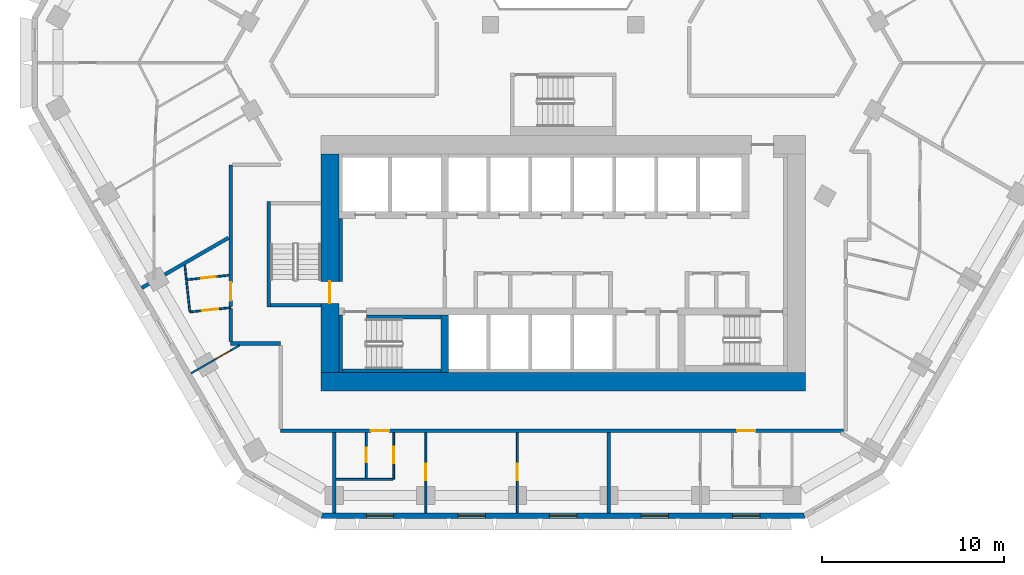
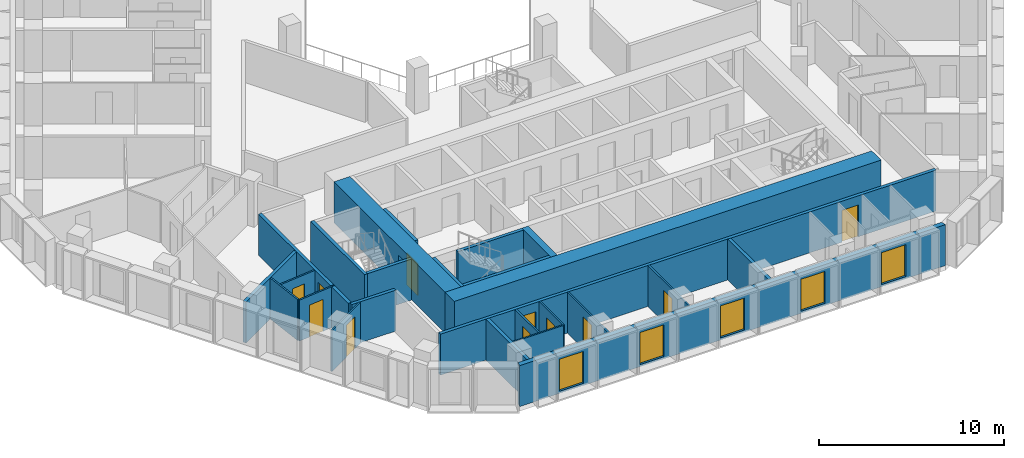
# One storey, part 3 of 16: 26 walls, 11 doors, 5 windows, 16 openings.
"""IFC4 building model written with IfcOpenShell, lengths in metres."""

from ifc_helpers import new_model, si_unit, direction, frame, frame_2d, origin, place, context, subcontext, project, spatial, polyline, rectangle, outline, extrude, material, layer, layer_set, type_object, element, fill, save


model = new_model("IFC4")

# Units and contexts
model_context = context("Model", 3, precision=1e-05, world=origin(), true_north=direction((0.0, 1.0)))
body_context = subcontext(model_context, "Body", "Model", "MODEL_VIEW")
ifc_project = project(units=[si_unit("LENGTHUNIT", "METRE"), si_unit("AREAUNIT", "SQUARE_METRE"), si_unit("VOLUMEUNIT", "CUBIC_METRE"), si_unit("PLANEANGLEUNIT", "RADIAN"), si_unit("MASSUNIT", "GRAM", prefix="KILO")], contexts=[model_context])

# Site, building, storey
site_placement = place(None, origin())
site = spatial("IfcSite", under=ifc_project, at=site_placement, CompositionType="ELEMENT")
building_placement = place(site_placement, origin())
building = spatial("IfcBuilding", under=site, at=building_placement, Name="Beryl Residences", CompositionType="ELEMENT")
storey_placement = place(building_placement, frame((0.0, 0.0, 90.0)))
storey = spatial("IfcBuildingStorey", under=building, at=storey_placement, Name="L27", CompositionType="ELEMENT", Elevation=90.0)

# Wall, openings, windows
ifc_material_1 = material(Name="Composite metal panel with mineral wool insulation")
ifc_layer_1 = layer(ifc_material_1, 0.300048828125)
ifc_layer_set_1 = layer_set([ifc_layer_1], Name="ES1 pale metal composite panel wall 300 mm")
wall_type_1 = type_object("IfcWallType", Name="ES1 pale metal composite panel wall 300 mm", PredefinedType="SOLIDWALL", material=ifc_layer_set_1)
wall_1_placement = place(storey_placement, frame((-13.279052734375, -25.85009765625, 0.0), z_axis=(0.0, 0.0, 1.0), x_axis=(1.0, 0.0, 0.0)))
wall_1 = element("IfcWall", 1, at=wall_1_placement, inside=storey, type_object=wall_type_1, Name="ES1 external wall L27 S", PredefinedType="SOLIDWALL", context=body_context, shape_type="SweptSolid", body=[
    extrude(outline(polyline([(0.0, -0.14990234375), (26.55810546875, -0.14990234375), (26.477783203125, 0.14990234375), (0.080322265625, 0.14990234375), (0.0, -0.14990234375)])), origin(), (0.0, 0.0, 1.0), 2.699951171875),
])
opening_1_placement = place(wall_1_placement, frame((2.48291015625, 0.0, 0.14990234375)))
opening_1 = element("IfcOpeningElement", 2, at=opening_1_placement, cuts=wall_1, Name="Opening W1", PredefinedType="OPENING", context=body_context, shape_type="SweptSolid", body=[
    extrude(rectangle(XDim=1.5, YDim=2.10009765625, at=frame_2d((0.75, 1.050048828125))), frame((0.0, 0.159912109375, 0.0), z_axis=(0.0, -1.0, 0.0), x_axis=(1.0, 0.0, 0.0)), (0.0, 0.0, 1.0), 0.320068359375),
])
opening_2_placement = place(wall_1_placement, frame((7.507080078125, 0.0, 0.14990234375)))
opening_2 = element("IfcOpeningElement", 3, at=opening_2_placement, cuts=wall_1, Name="Opening W1", PredefinedType="OPENING", context=body_context, shape_type="SweptSolid", body=[
    extrude(rectangle(XDim=1.5, YDim=2.10009765625, at=frame_2d((0.75, 1.050048828125))), frame((0.0, 0.159912109375, 0.0), z_axis=(0.0, -1.0, 0.0), x_axis=(1.0, 0.0, 0.0)), (0.0, 0.0, 1.0), 0.320068359375),
])
opening_3_placement = place(wall_1_placement, frame((12.529052734375, 0.0, 0.14990234375)))
opening_3 = element("IfcOpeningElement", 4, at=opening_3_placement, cuts=wall_1, Name="Opening W1", PredefinedType="OPENING", context=body_context, shape_type="SweptSolid", body=[
    extrude(rectangle(XDim=1.5, YDim=2.10009765625, at=frame_2d((0.75, 1.050048828125))), frame((0.0, 0.159912109375, 0.0), z_axis=(0.0, -1.0, 0.0), x_axis=(1.0, 0.0, 0.0)), (0.0, 0.0, 1.0), 0.320068359375),
])
opening_4_placement = place(wall_1_placement, frame((17.552978515625, 0.0, 0.14990234375)))
opening_4 = element("IfcOpeningElement", 5, at=opening_4_placement, cuts=wall_1, Name="Opening W1", PredefinedType="OPENING", context=body_context, shape_type="SweptSolid", body=[
    extrude(rectangle(XDim=1.5, YDim=2.10009765625, at=frame_2d((0.75, 1.050048828125))), frame((0.0, 0.159912109375, 0.0), z_axis=(0.0, -1.0, 0.0), x_axis=(1.0, 0.0, 0.0)), (0.0, 0.0, 1.0), 0.320068359375),
])
opening_5_placement = place(wall_1_placement, frame((22.574951171875, 0.0, 0.14990234375)))
opening_5 = element("IfcOpeningElement", 6, at=opening_5_placement, cuts=wall_1, Name="Opening W1", PredefinedType="OPENING", context=body_context, shape_type="SweptSolid", body=[
    extrude(rectangle(XDim=1.5, YDim=2.10009765625, at=frame_2d((0.75, 1.050048828125))), frame((0.0, 0.159912109375, 0.0), z_axis=(0.0, -1.0, 0.0), x_axis=(1.0, 0.0, 0.0)), (0.0, 0.0, 1.0), 0.320068359375),
])
ifc_material_2 = material(Name="Aluminium and clear glass", Category="aluminium")
window_type = type_object("IfcWindowType", Name="W1 cell window 1500 x 2100 mm", PartitioningType="SINGLE_PANEL", PredefinedType="WINDOW", material=ifc_material_2)
window_1_placement = place(opening_1_placement, origin())
window_1 = element("IfcWindow", 7, at=window_1_placement, inside=storey, type_object=window_type, Name="W1 window L27 S 2", OverallHeight=2.10009765625, OverallWidth=1.5, PartitioningType="SINGLE_PANEL", PredefinedType="WINDOW", context=body_context, shape_type="SweptSolid", body=[
    extrude(rectangle(XDim=1.5, YDim=2.10009765625, at=frame_2d((0.75, 1.050048828125))), frame((0.0, 0.030029296875, 0.0), z_axis=(0.0, -1.0, 0.0), x_axis=(1.0, 0.0, 0.0)), (0.0, 0.0, 1.0), 0.06005859375),
])
fill(opening_1, window_1)
window_2_placement = place(opening_2_placement, origin())
window_2 = element("IfcWindow", 8, at=window_2_placement, inside=storey, type_object=window_type, Name="W1 window L27 S 4", OverallHeight=2.10009765625, OverallWidth=1.5, PartitioningType="SINGLE_PANEL", PredefinedType="WINDOW", context=body_context, shape_type="SweptSolid", body=[
    extrude(rectangle(XDim=1.5, YDim=2.10009765625, at=frame_2d((0.75, 1.050048828125))), frame((0.0, 0.030029296875, 0.0), z_axis=(0.0, -1.0, 0.0), x_axis=(1.0, 0.0, 0.0)), (0.0, 0.0, 1.0), 0.06005859375),
])
fill(opening_2, window_2)
window_3_placement = place(opening_3_placement, origin())
window_3 = element("IfcWindow", 9, at=window_3_placement, inside=storey, type_object=window_type, Name="W1 window L27 S 6", OverallHeight=2.10009765625, OverallWidth=1.5, PartitioningType="SINGLE_PANEL", PredefinedType="WINDOW", context=body_context, shape_type="SweptSolid", body=[
    extrude(rectangle(XDim=1.5, YDim=2.10009765625, at=frame_2d((0.75, 1.050048828125))), frame((0.0, 0.030029296875, 0.0), z_axis=(0.0, -1.0, 0.0), x_axis=(1.0, 0.0, 0.0)), (0.0, 0.0, 1.0), 0.06005859375),
])
fill(opening_3, window_3)
window_4_placement = place(opening_4_placement, origin())
window_4 = element("IfcWindow", 10, at=window_4_placement, inside=storey, type_object=window_type, Name="W1 window L27 S 8", OverallHeight=2.10009765625, OverallWidth=1.5, PartitioningType="SINGLE_PANEL", PredefinedType="WINDOW", context=body_context, shape_type="SweptSolid", body=[
    extrude(rectangle(XDim=1.5, YDim=2.10009765625, at=frame_2d((0.75, 1.050048828125))), frame((0.0, 0.030029296875, 0.0), z_axis=(0.0, -1.0, 0.0), x_axis=(1.0, 0.0, 0.0)), (0.0, 0.0, 1.0), 0.06005859375),
])
fill(opening_4, window_4)
window_5_placement = place(opening_5_placement, origin())
window_5 = element("IfcWindow", 11, at=window_5_placement, inside=storey, type_object=window_type, Name="W1 window L27 S 10", OverallHeight=2.10009765625, OverallWidth=1.5, PartitioningType="SINGLE_PANEL", PredefinedType="WINDOW", context=body_context, shape_type="SweptSolid", body=[
    extrude(rectangle(XDim=1.5, YDim=2.10009765625, at=frame_2d((0.75, 1.050048828125))), frame((0.0, 0.030029296875, 0.0), z_axis=(0.0, -1.0, 0.0), x_axis=(1.0, 0.0, 0.0)), (0.0, 0.0, 1.0), 0.06005859375),
])
fill(opening_5, window_5)

# Wall
ifc_material_3 = material(Name="Gypsum board partition on steel studs", Category="steel")
ifc_layer_2 = layer(ifc_material_3, 0.10009765625)
ifc_layer_set_2 = layer_set([ifc_layer_2], Name="PT1 partition 100 mm gypsum board on steel studs")
wall_type_2 = type_object("IfcWallType", Name="PT1 partition 100 mm gypsum board on steel studs", PredefinedType="PARTITIONING", material=ifc_layer_set_2)
wall_2_placement = place(storey_placement, frame((-20.761962890625, -12.10205078125, 0.0), z_axis=(0.0, 0.0, 1.0), x_axis=(0.106118300401, -0.994353511745, 0.0)))
element("IfcWall", 12, at=wall_2_placement, inside=storey, type_object=wall_type_2, Name="Wall PT1 L27 006", PredefinedType="PARTITIONING", context=body_context, shape_type="SweptSolid", body=[
    extrude(rectangle(XDim=2.535400390625, YDim=0.10009765625, at=frame_2d((1.267578125, 0.0))), origin(), (0.0, 0.0, 1.0), 2.699951171875),
])

# Wall, opening, door
wall_3_placement = place(storey_placement, frame((-7.533935546875, -21.300048828125, 0.0), z_axis=(0.0, 0.0, 1.0), x_axis=(0.0, -1.0, 0.0)))
wall_3 = element("IfcWall", 13, at=wall_3_placement, inside=storey, type_object=wall_type_2, Name="Wall PT1 L27 010", PredefinedType="PARTITIONING", context=body_context, shape_type="SweptSolid", body=[
    extrude(rectangle(XDim=4.39990234375, YDim=0.10009765625, at=frame_2d((2.199951171875, 0.0))), origin(), (0.0, 0.0, 1.0), 2.699951171875),
])
opening_6_placement = place(wall_3_placement, frame((1.699951171875, 0.0, 0.0)))
opening_6 = element("IfcOpeningElement", 14, at=opening_6_placement, cuts=wall_3, Name="Opening D0904", PredefinedType="OPENING", context=body_context, shape_type="SweptSolid", body=[
    extrude(rectangle(XDim=0.89990234375, YDim=2.10009765625, at=frame_2d((0.449951171875, 1.050048828125))), frame((0.0, 0.06005859375, 0.0), z_axis=(0.0, -1.0, 0.0), x_axis=(1.0, 0.0, 0.0)), (0.0, 0.0, 1.0), 0.1201171875),
])
ifc_material_4 = material(Name="Timber door leaf", Category="wood")
door_type_1 = type_object("IfcDoorType", Name="D2 room door 900 x 2100 mm", OperationType="SINGLE_SWING_LEFT", PredefinedType="DOOR", material=ifc_material_4)
door_1_placement = place(opening_6_placement, origin())
door_1 = element("IfcDoor", 15, at=door_1_placement, inside=storey, type_object=door_type_1, Name="Door D0904 L27 001", OperationType="SINGLE_SWING_RIGHT", OverallHeight=2.10009765625, OverallWidth=0.89990234375, PredefinedType="DOOR", context=body_context, shape_type="SweptSolid", body=[
    extrude(rectangle(XDim=0.89990234375, YDim=2.10009765625, at=frame_2d((0.449951171875, 1.050048828125))), frame((0.0, 0.02490234375, 0.0), z_axis=(0.0, -1.0, 0.0), x_axis=(1.0, 0.0, 0.0)), (0.0, 0.0, 1.0), 0.050048828125),
])
fill(opening_6, door_1)

# Wall
wall_4_placement = place(storey_placement, frame((-12.45703125, -23.860107421875, 0.0), z_axis=(0.0, 0.0, 1.0), x_axis=(1.0, 0.0, 0.0)))
element("IfcWall", 16, at=wall_4_placement, inside=storey, type_object=wall_type_2, Name="Wall PT1 L27 028", PredefinedType="PARTITIONING", context=body_context, shape_type="SweptSolid", body=[
    extrude(rectangle(XDim=3.114013671875, YDim=0.10009765625, at=frame_2d((1.55712890625, 0.0))), origin(), (0.0, 0.0, 1.0), 2.699951171875),
])

# Wall, opening, door
wall_5_placement = place(storey_placement, frame((-20.6259765625, -12.902099609375, 0.0), z_axis=(0.0, 0.0, 1.0), x_axis=(0.994385570266, 0.105817473257, 0.0)))
wall_5 = element("IfcWall", 17, at=wall_5_placement, inside=storey, type_object=wall_type_2, Name="Wall PT1 L27 033", PredefinedType="PARTITIONING", context=body_context, shape_type="SweptSolid", body=[
    extrude(rectangle(XDim=2.288818359375, YDim=0.10009765625, at=frame_2d((1.14453125, 0.0))), origin(), (0.0, 0.0, 1.0), 2.699951171875),
])
opening_7_placement = place(wall_5_placement, frame((0.77001953125, 0.0, 0.0)))
opening_7 = element("IfcOpeningElement", 18, at=opening_7_placement, cuts=wall_5, Name="Opening D0960", PredefinedType="OPENING", context=body_context, shape_type="SweptSolid", body=[
    extrude(rectangle(XDim=0.800048828125, YDim=2.10009765625, at=frame_2d((0.39990234375, 1.050048828125))), frame((0.0, 0.06005859375, 0.0), z_axis=(0.0, -1.0, 0.0), x_axis=(1.0, 0.0, 0.0)), (0.0, 0.0, 1.0), 0.1201171875),
])
ifc_material_5 = material(Name="Timber door leaf", Category="wood")
door_type_2 = type_object("IfcDoorType", Name="D3 bathroom door 800 x 2100 mm", OperationType="SINGLE_SWING_LEFT", PredefinedType="DOOR", material=ifc_material_5)
door_2_placement = place(opening_7_placement, origin())
door_2 = element("IfcDoor", 19, at=door_2_placement, inside=storey, type_object=door_type_2, Name="Door D0960 L27 001", OperationType="SINGLE_SWING_RIGHT", OverallHeight=2.10009765625, OverallWidth=0.800048828125, PredefinedType="DOOR", context=body_context, shape_type="SweptSolid", body=[
    extrude(rectangle(XDim=0.800048828125, YDim=2.10009765625, at=frame_2d((0.39990234375, 1.050048828125))), frame((0.0, 0.02490234375, 0.0), z_axis=(0.0, -1.0, 0.0), x_axis=(1.0, 0.0, 0.0)), (0.0, 0.0, 1.0), 0.050048828125),
])
fill(opening_7, door_2)

wall_6_placement = place(storey_placement, frame((-20.487060546875, -14.674072265625, 0.0), z_axis=(0.0, 0.0, 1.0), x_axis=(0.994386484046, 0.105808885948, 0.0)))
wall_6 = element("IfcWall", 20, at=wall_6_placement, inside=storey, type_object=wall_type_2, Name="Wall PT1 L27 034", PredefinedType="PARTITIONING", context=body_context, shape_type="SweptSolid", body=[
    extrude(rectangle(XDim=2.249755859375, YDim=0.10009765625, at=frame_2d((1.125, 0.0))), origin(), (0.0, 0.0, 1.0), 2.699951171875),
])
opening_8_placement = place(wall_6_placement, frame((0.674072265625, 0.0, 0.0)))
opening_8 = element("IfcOpeningElement", 21, at=opening_8_placement, cuts=wall_6, Name="Opening D0959", PredefinedType="OPENING", context=body_context, shape_type="SweptSolid", body=[
    extrude(rectangle(XDim=0.89990234375, YDim=2.10009765625, at=frame_2d((0.449951171875, 1.050048828125))), frame((0.0, 0.06005859375, 0.0), z_axis=(0.0, -1.0, 0.0), x_axis=(1.0, 0.0, 0.0)), (0.0, 0.0, 1.0), 0.1201171875),
])
door_3_placement = place(opening_8_placement, origin())
door_3 = element("IfcDoor", 22, at=door_3_placement, inside=storey, type_object=door_type_1, Name="Door D0959 L27 001", OperationType="SINGLE_SWING_LEFT", OverallHeight=2.10009765625, OverallWidth=0.89990234375, PredefinedType="DOOR", context=body_context, shape_type="SweptSolid", body=[
    extrude(rectangle(XDim=0.89990234375, YDim=2.10009765625, at=frame_2d((0.449951171875, 1.050048828125))), frame((0.0, 0.02490234375, 0.0), z_axis=(0.0, -1.0, 0.0), x_axis=(1.0, 0.0, 0.0)), (0.0, 0.0, 1.0), 0.050048828125),
])
fill(opening_8, door_3)

wall_7_placement = place(storey_placement, frame((-9.2919921875, -23.85888671875, 0.0), z_axis=(0.0, 0.0, 1.0), x_axis=(0.0, 1.0, 0.0)))
wall_7 = element("IfcWall", 23, at=wall_7_placement, inside=storey, type_object=wall_type_2, Name="Wall PT1 L27 053", PredefinedType="PARTITIONING", context=body_context, shape_type="SweptSolid", body=[
    extrude(rectangle(XDim=2.558837890625, YDim=0.10009765625, at=frame_2d((1.279296875, 0.0))), origin(), (0.0, 0.0, 1.0), 2.699951171875),
])
opening_9_placement = place(wall_7_placement, frame((0.87890625, 0.0, 0.0)))
opening_9 = element("IfcOpeningElement", 24, at=opening_9_placement, cuts=wall_7, Name="Opening D0902", PredefinedType="OPENING", context=body_context, shape_type="SweptSolid", body=[
    extrude(rectangle(XDim=0.89990234375, YDim=2.10009765625, at=frame_2d((0.449951171875, 1.050048828125))), frame((0.0, 0.06005859375, 0.0), z_axis=(0.0, -1.0, 0.0), x_axis=(1.0, 0.0, 0.0)), (0.0, 0.0, 1.0), 0.1201171875),
])
door_4_placement = place(opening_9_placement, origin())
door_4 = element("IfcDoor", 25, at=door_4_placement, inside=storey, type_object=door_type_1, Name="Door D0902 L27 001", OperationType="SINGLE_SWING_RIGHT", OverallHeight=2.10009765625, OverallWidth=0.89990234375, PredefinedType="DOOR", context=body_context, shape_type="SweptSolid", body=[
    extrude(rectangle(XDim=0.89990234375, YDim=2.10009765625, at=frame_2d((0.449951171875, 1.050048828125))), frame((0.0, 0.02490234375, 0.0), z_axis=(0.0, -1.0, 0.0), x_axis=(1.0, 0.0, 0.0)), (0.0, 0.0, 1.0), 0.050048828125),
])
fill(opening_9, door_4)

wall_8_placement = place(storey_placement, frame((-10.799072265625, -23.81005859375, 0.0), z_axis=(0.0, 0.0, 1.0), x_axis=(0.0, 1.0, 0.0)))
wall_8 = element("IfcWall", 26, at=wall_8_placement, inside=storey, type_object=wall_type_2, Name="Wall PT1 L27 054", PredefinedType="PARTITIONING", context=body_context, shape_type="SweptSolid", body=[
    extrude(rectangle(XDim=2.510009765625, YDim=0.10009765625, at=frame_2d((1.2548828125, 0.0))), origin(), (0.0, 0.0, 1.0), 2.699951171875),
])
opening_10_placement = place(wall_8_placement, frame((0.8798828125, 0.0, 0.0)))
opening_10 = element("IfcOpeningElement", 27, at=opening_10_placement, cuts=wall_8, Name="Opening D0903", PredefinedType="OPENING", context=body_context, shape_type="SweptSolid", body=[
    extrude(rectangle(XDim=0.800048828125, YDim=2.10009765625, at=frame_2d((0.39990234375, 1.050048828125))), frame((0.0, 0.06005859375, 0.0), z_axis=(0.0, -1.0, 0.0), x_axis=(1.0, 0.0, 0.0)), (0.0, 0.0, 1.0), 0.1201171875),
])
door_5_placement = place(opening_10_placement, origin())
door_5 = element("IfcDoor", 28, at=door_5_placement, inside=storey, type_object=door_type_2, Name="Door D0903 L27 001", OperationType="SINGLE_SWING_LEFT", OverallHeight=2.10009765625, OverallWidth=0.800048828125, PredefinedType="DOOR", context=body_context, shape_type="SweptSolid", body=[
    extrude(rectangle(XDim=0.800048828125, YDim=2.10009765625, at=frame_2d((0.39990234375, 1.050048828125))), frame((0.0, 0.02490234375, 0.0), z_axis=(0.0, -1.0, 0.0), x_axis=(1.0, 0.0, 0.0)), (0.0, 0.0, 1.0), 0.050048828125),
])
fill(opening_10, door_5)

wall_9_placement = place(storey_placement, frame((-2.510986328125, -25.699951171875, 0.0), z_axis=(0.0, 0.0, 1.0), x_axis=(0.0, 1.0, 0.0)))
wall_9 = element("IfcWall", 29, at=wall_9_placement, inside=storey, type_object=wall_type_2, Name="Wall PT1 L27 056", PredefinedType="PARTITIONING", context=body_context, shape_type="SweptSolid", body=[
    extrude(rectangle(XDim=4.39990234375, YDim=0.10009765625, at=frame_2d((2.199951171875, 0.0))), origin(), (0.0, 0.0, 1.0), 2.699951171875),
])
opening_11_placement = place(wall_9_placement, frame((1.800048828125, 0.0, 0.0)))
opening_11 = element("IfcOpeningElement", 30, at=opening_11_placement, cuts=wall_9, Name="Opening D0905", PredefinedType="OPENING", context=body_context, shape_type="SweptSolid", body=[
    extrude(rectangle(XDim=0.89990234375, YDim=2.10009765625, at=frame_2d((0.449951171875, 1.050048828125))), frame((0.0, 0.06005859375, 0.0), z_axis=(0.0, -1.0, 0.0), x_axis=(1.0, 0.0, 0.0)), (0.0, 0.0, 1.0), 0.1201171875),
])
door_6_placement = place(opening_11_placement, origin())
door_6 = element("IfcDoor", 31, at=door_6_placement, inside=storey, type_object=door_type_1, Name="Door D0905 L27 001", OperationType="SINGLE_SWING_LEFT", OverallHeight=2.10009765625, OverallWidth=0.89990234375, PredefinedType="DOOR", context=body_context, shape_type="SweptSolid", body=[
    extrude(rectangle(XDim=0.89990234375, YDim=2.10009765625, at=frame_2d((0.449951171875, 1.050048828125))), frame((0.0, 0.02490234375, 0.0), z_axis=(0.0, -1.0, 0.0), x_axis=(1.0, 0.0, 0.0)), (0.0, 0.0, 1.0), 0.050048828125),
])
fill(opening_11, door_6)

wall_10_placement = place(storey_placement, frame((-20.416015625, -18.0380859375, 0.0), z_axis=(0.0, 0.0, 1.0), x_axis=(0.866026989333, 0.499997253739, 0.0)))
wall_10 = element("IfcWall", 32, at=wall_10_placement, inside=storey, type_object=wall_type_2, Name="Wall PT1 L27 059", PredefinedType="PARTITIONING", context=body_context, shape_type="SweptSolid", body=[
    extrude(rectangle(XDim=3.076171875, YDim=0.10009765625, at=frame_2d((1.5380859375, 0.0))), origin(), (0.0, 0.0, 1.0), 2.699951171875),
])
opening_12_placement = place(wall_10_placement, frame((1.587890625, 0.0, 0.0)))
opening_12 = element("IfcOpeningElement", 33, at=opening_12_placement, cuts=wall_10, Name="Opening D0961", PredefinedType="OPENING", context=body_context, shape_type="SweptSolid", body=[
    extrude(rectangle(XDim=0.89990234375, YDim=2.10009765625, at=frame_2d((0.449951171875, 1.050048828125))), frame((0.0, 0.06005859375, 0.0), z_axis=(0.0, -1.0, 0.0), x_axis=(1.0, 0.0, 0.0)), (0.0, 0.0, 1.0), 0.1201171875),
])
door_7_placement = place(opening_12_placement, origin())
door_7 = element("IfcDoor", 34, at=door_7_placement, inside=storey, type_object=door_type_1, Name="Door D0961 L27 001", OperationType="SINGLE_SWING_LEFT", OverallHeight=2.10009765625, OverallWidth=0.89990234375, PredefinedType="DOOR", context=body_context, shape_type="SweptSolid", body=[
    extrude(rectangle(XDim=0.89990234375, YDim=2.10009765625, at=frame_2d((0.449951171875, 1.050048828125))), frame((0.0, 0.02490234375, 0.0), z_axis=(0.0, -1.0, 0.0), x_axis=(1.0, 0.0, 0.0)), (0.0, 0.0, 1.0), 0.050048828125),
])
fill(opening_12, door_7)

# Walls
ifc_material_6 = material(Name="Concrete masonry", Category="masonry")
ifc_layer_3 = layer(ifc_material_6, 0.199951171875)
ifc_layer_set_3 = layer_set([ifc_layer_3], Name="PT13 lobby wall 200 mm")
wall_type_3 = type_object("IfcWallType", Name="PT13 lobby wall 200 mm", PredefinedType="PARTITIONING", material=ifc_layer_set_3)
wall_11_placement = place(storey_placement, frame((-12.199951171875, -13.0, 0.0), z_axis=(0.0, 0.0, 1.0), x_axis=(0.0, 1.0, 0.0)))
element("IfcWall", 35, at=wall_11_placement, inside=storey, type_object=wall_type_3, Name="Lobby wall 05", PredefinedType="PARTITIONING", context=body_context, shape_type="SweptSolid", body=[
    extrude(rectangle(XDim=3.449951171875, YDim=0.199951171875, at=frame_2d((1.72509765625, 0.0))), origin(), (0.0, 0.0, 1.0), 2.699951171875),
])
ifc_material_7 = material(Name="Acoustic double stud gypsum board wall")
ifc_layer_4 = layer(ifc_material_7, 0.199951171875)
ifc_layer_set_4 = layer_set([ifc_layer_4], Name="PT3 party wall 200 mm acoustic double stud")
wall_type_4 = type_object("IfcWallType", Name="PT3 party wall 200 mm acoustic double stud", PredefinedType="PARTITIONING", material=ifc_layer_set_4)
for number, where, z_axis, x_axis, name in (
    (36, (2.511962890625, -25.699951171875, 0.0), (0.0, 0.0, 1.0), (0.0, 1.0, 0.0), "Wall PT3 L27 007"),
    (37, (-12.556884765625, -25.699951171875, 0.0), (0.0, 0.0, 1.0), (0.0, 1.0, 0.0), "Wall PT3 L27 009"),
):
    element("IfcWall", number, at=place(storey_placement, frame(where, z_axis=z_axis, x_axis=x_axis)), inside=storey, type_object=wall_type_4, Name=name, PredefinedType="PARTITIONING", context=body_context, shape_type="SweptSolid", body=[
        extrude(rectangle(XDim=4.39990234375, YDim=0.199951171875, at=frame_2d((2.199951171875, 0.0))), origin(), (0.0, 0.0, 1.0), 2.699951171875),
    ])
wall_12_placement = place(storey_placement, frame((-23.123046875, -13.35009765625, 0.0), z_axis=(0.0, 0.0, 1.0), x_axis=(0.866013095437, 0.500021318078, 0.0)))
element("IfcWall", 38, at=wall_12_placement, inside=storey, type_object=wall_type_4, Name="Wall PT3 L27 010", PredefinedType="PARTITIONING", context=body_context, shape_type="SweptSolid", body=[
    extrude(rectangle(XDim=5.491943359375, YDim=0.199951171875, at=frame_2d((2.74609375, 0.0))), origin(), (0.0, 0.0, 1.0), 2.699951171875),
])
ifc_material_8 = material(Name="Double stud gypsum board wall")
ifc_layer_5 = layer(ifc_material_8, 0.199951171875)
ifc_layer_set_5 = layer_set([ifc_layer_5], Name="PT4 corridor wall 200 mm double stud")
wall_type_5 = type_object("IfcWallType", Name="PT4 corridor wall 200 mm double stud", PredefinedType="PARTITIONING", material=ifc_layer_set_5)
wall_13_placement = place(storey_placement, frame((-18.25, -14.486083984375, 0.0), z_axis=(0.0, 0.0, 1.0), x_axis=(0.0, -1.0, 0.0)))
element("IfcWall", 39, at=wall_13_placement, inside=storey, type_object=wall_type_5, Name="Wall PT4 L27 008", PredefinedType="PARTITIONING", context=body_context, shape_type="SweptSolid", body=[
    extrude(rectangle(XDim=1.81298828125, YDim=0.199951171875, at=frame_2d((0.906494140625, 0.0))), origin(), (0.0, 0.0, 1.0), 2.699951171875),
])
wall_14_placement = place(storey_placement, frame((-18.2490234375, -16.39990234375, 0.0), z_axis=(0.0, 0.0, 1.0), x_axis=(1.0, 0.0, 0.0)))
element("IfcWall", 40, at=wall_14_placement, inside=storey, type_object=wall_type_5, Name="Wall PT4 L27 015", PredefinedType="PARTITIONING", context=body_context, shape_type="SweptSolid", body=[
    extrude(rectangle(XDim=2.748046875, YDim=0.199951171875, at=frame_2d((1.3740234375, 0.0))), origin(), (0.0, 0.0, 1.0), 2.699951171875),
])

# Wall, openings, doors
wall_15_placement = place(storey_placement, frame((-15.4990234375, -21.199951171875, 0.0), z_axis=(0.0, 0.0, 1.0), x_axis=(1.0, 0.0, 0.0)))
wall_15 = element("IfcWall", 41, at=wall_15_placement, inside=storey, type_object=wall_type_5, Name="Wall PT4 L27 016", PredefinedType="PARTITIONING", context=body_context, shape_type="SweptSolid", body=[
    extrude(rectangle(XDim=30.89794921875, YDim=0.199951171875, at=frame_2d((15.448974609375, 0.0))), origin(), (0.0, 0.0, 1.0), 2.699951171875),
])
opening_13_placement = place(wall_15_placement, frame((4.9541015625, 0.0, 0.0)))
opening_13 = element("IfcOpeningElement", 42, at=opening_13_placement, cuts=wall_15, Name="Opening D0901", PredefinedType="OPENING", context=body_context, shape_type="SweptSolid", body=[
    extrude(rectangle(XDim=1.0, YDim=2.10009765625, at=frame_2d((0.5, 1.050048828125))), frame((0.0, 0.10986328125, 0.0), z_axis=(0.0, -1.0, 0.0), x_axis=(1.0, 0.0, 0.0)), (0.0, 0.0, 1.0), 0.219970703125),
])
opening_14_placement = place(wall_15_placement, frame((25.0458984375, 0.0, 0.0)))
opening_14 = element("IfcOpeningElement", 43, at=opening_14_placement, cuts=wall_15, Name="Opening D0906", PredefinedType="OPENING", context=body_context, shape_type="SweptSolid", body=[
    extrude(rectangle(XDim=1.0, YDim=2.10009765625, at=frame_2d((0.5, 1.050048828125))), frame((0.0, 0.10986328125, 0.0), z_axis=(0.0, -1.0, 0.0), x_axis=(1.0, 0.0, 0.0)), (0.0, 0.0, 1.0), 0.219970703125),
])
ifc_material_9 = material(Name="Timber door leaf", Category="wood")
door_type_3 = type_object("IfcDoorType", Name="D1 flat entrance door 1000 x 2100 mm", OperationType="SINGLE_SWING_LEFT", PredefinedType="DOOR", material=ifc_material_9)
door_8_placement = place(opening_13_placement, origin())
door_8 = element("IfcDoor", 44, at=door_8_placement, inside=storey, type_object=door_type_3, Name="Door D0901 L27 001", OperationType="SINGLE_SWING_LEFT", OverallHeight=2.10009765625, OverallWidth=1.0, PredefinedType="DOOR", context=body_context, shape_type="SweptSolid", body=[
    extrude(rectangle(XDim=1.0, YDim=2.10009765625, at=frame_2d((0.5, 1.050048828125))), frame((0.0, 0.02490234375, 0.0), z_axis=(0.0, -1.0, 0.0), x_axis=(1.0, 0.0, 0.0)), (0.0, 0.0, 1.0), 0.050048828125),
])
fill(opening_13, door_8)
door_9_placement = place(opening_14_placement, origin())
door_9 = element("IfcDoor", 45, at=door_9_placement, inside=storey, type_object=door_type_3, Name="Door D0906 L27 001", OperationType="SINGLE_SWING_RIGHT", OverallHeight=2.10009765625, OverallWidth=1.0, PredefinedType="DOOR", context=body_context, shape_type="SweptSolid", body=[
    extrude(rectangle(XDim=1.0, YDim=2.10009765625, at=frame_2d((0.5, 1.050048828125))), frame((0.0, 0.02490234375, 0.0), z_axis=(0.0, -1.0, 0.0), x_axis=(1.0, 0.0, 0.0)), (0.0, 0.0, 1.0), 0.050048828125),
])
fill(opening_14, door_9)

# Wall, opening, door
wall_16_placement = place(storey_placement, frame((-18.25, -14.385986328125, 0.0), z_axis=(0.0, 0.0, 1.0), x_axis=(0.0, 1.0, 0.0)))
wall_16 = element("IfcWall", 46, at=wall_16_placement, inside=storey, type_object=wall_type_5, Name="Wall PT4 L27 034", PredefinedType="PARTITIONING", context=body_context, shape_type="SweptSolid", body=[
    extrude(rectangle(XDim=7.785888671875, YDim=0.199951171875, at=frame_2d((3.89306640625, 0.0))), origin(), (0.0, 0.0, 1.0), 2.699951171875),
])
opening_15_placement = place(wall_16_placement, frame((0.340087890625, 0.0, 0.0)))
opening_15 = element("IfcOpeningElement", 47, at=opening_15_placement, cuts=wall_16, Name="Opening D0958", PredefinedType="OPENING", context=body_context, shape_type="SweptSolid", body=[
    extrude(rectangle(XDim=1.0, YDim=2.10009765625, at=frame_2d((0.5, 1.050048828125))), frame((0.0, 0.10986328125, 0.0), z_axis=(0.0, -1.0, 0.0), x_axis=(1.0, 0.0, 0.0)), (0.0, 0.0, 1.0), 0.219970703125),
])
door_10_placement = place(opening_15_placement, origin())
door_10 = element("IfcDoor", 48, at=door_10_placement, inside=storey, type_object=door_type_3, Name="Door D0958 L27 001", OperationType="SINGLE_SWING_RIGHT", OverallHeight=2.10009765625, OverallWidth=1.0, PredefinedType="DOOR", context=body_context, shape_type="SweptSolid", body=[
    extrude(rectangle(XDim=1.0, YDim=2.10009765625, at=frame_2d((0.5, 1.050048828125))), frame((0.0, 0.02490234375, 0.0), z_axis=(0.0, -1.0, 0.0), x_axis=(1.0, 0.0, 0.0)), (0.0, 0.0, 1.0), 0.050048828125),
])
fill(opening_15, door_10)

# Walls
ifc_material_10 = material(Name="Concrete C40/50", Category="concrete")
ifc_layer_6 = layer(ifc_material_10, 0.199951171875)
ifc_layer_set_6 = layer_set([ifc_layer_6], Name="PT5 stair enclosure wall 200 mm reinforced concrete C40/50")
wall_type_6 = type_object("IfcWallType", Name="PT5 stair enclosure wall 200 mm reinforced concrete C40/50", PredefinedType="SOLIDWALL", material=ifc_layer_set_6)
wall_17_placement = place(storey_placement, frame((-16.14990234375, -14.39990234375, 0.0), z_axis=(0.0, 0.0, 1.0), x_axis=(0.0, 1.0, 0.0)))
element("IfcWall", 49, at=wall_17_placement, inside=storey, type_object=wall_type_6, Name="Stair wall 01", PredefinedType="SOLIDWALL", context=body_context, shape_type="SweptSolid", body=[
    extrude(rectangle(XDim=5.7998046875, YDim=0.199951171875, at=frame_2d((2.89990234375, 0.0))), origin(), (0.0, 0.0, 1.0), 2.699951171875),
])
wall_18_placement = place(storey_placement, frame((-16.050048828125, -14.300048828125, 0.0), z_axis=(0.0, 0.0, 1.0), x_axis=(1.0, 0.0, 0.0)))
element("IfcWall", 50, at=wall_18_placement, inside=storey, type_object=wall_type_6, Name="Stair wall 02", PredefinedType="SOLIDWALL", context=body_context, shape_type="SweptSolid", body=[
    extrude(rectangle(XDim=2.75, YDim=0.199951171875, at=frame_2d((1.375, 0.0))), origin(), (0.0, 0.0, 1.0), 2.699951171875),
])
wall_19_placement = place(storey_placement, frame((-12.199951171875, -18.0, 0.0), z_axis=(0.0, 0.0, 1.0), x_axis=(0.0, 1.0, 0.0)))
element("IfcWall", 51, at=wall_19_placement, inside=storey, type_object=wall_type_6, Name="Stair wall 04", PredefinedType="SOLIDWALL", context=body_context, shape_type="SweptSolid", body=[
    extrude(rectangle(XDim=3.14990234375, YDim=0.199951171875, at=frame_2d((1.574951171875, 0.0))), origin(), (0.0, 0.0, 1.0), 2.699951171875),
])
wall_20_placement = place(storey_placement, frame((-12.10009765625, -17.89990234375, 0.0), z_axis=(0.0, 0.0, 1.0), x_axis=(1.0, 0.0, 0.0)))
element("IfcWall", 52, at=wall_20_placement, inside=storey, type_object=wall_type_6, Name="Stair wall 07", PredefinedType="SOLIDWALL", context=body_context, shape_type="SweptSolid", body=[
    extrude(rectangle(XDim=5.400146484375, YDim=0.199951171875, at=frame_2d((2.7001953125, 0.0))), origin(), (0.0, 0.0, 1.0), 2.699951171875),
])
wall_21_placement = place(storey_placement, frame((-10.800048828125, -14.949951171875, 0.0), z_axis=(0.0, 0.0, 1.0), x_axis=(1.0, 0.0, 0.0)))
element("IfcWall", 53, at=wall_21_placement, inside=storey, type_object=wall_type_6, Name="Stair wall 09", PredefinedType="SOLIDWALL", context=body_context, shape_type="SweptSolid", body=[
    extrude(rectangle(XDim=4.10009765625, YDim=0.199951171875, at=frame_2d((2.050048828125, 0.0))), origin(), (0.0, 0.0, 1.0), 2.699951171875),
])
ifc_material_11 = material(Name="Concrete C70/85", Category="concrete")
ifc_layer_7 = layer(ifc_material_11, 1.0)
ifc_layer_set_7 = layer_set([ifc_layer_7], Name="SW2 core outer wall 1000 mm C70/85")
wall_type_7 = type_object("IfcWallType", Name="SW2 core outer wall 1000 mm C70/85", PredefinedType="SHEAR", material=ifc_layer_set_7)
wall_22_placement = place(storey_placement, frame((-13.300048828125, -18.5, 0.0), z_axis=(0.0, 0.0, 1.0), x_axis=(1.0, 0.0, 0.0)))
element("IfcWall", 54, at=wall_22_placement, inside=storey, type_object=wall_type_7, Name="Core wall S L27", PredefinedType="SHEAR", context=body_context, shape_type="SweptSolid", body=[
    extrude(rectangle(XDim=26.60009765625, YDim=1.0, at=frame_2d((13.300048828125, 0.0))), origin(), (0.0, 0.0, 1.0), 2.699951171875),
])

# Wall, opening, door
wall_23_placement = place(storey_placement, frame((-12.800048828125, -18.0, 0.0), z_axis=(0.0, 0.0, 1.0), x_axis=(0.0, 1.0, 0.0)))
wall_23 = element("IfcWall", 55, at=wall_23_placement, inside=storey, type_object=wall_type_7, Name="Core wall W L27", PredefinedType="SHEAR", context=body_context, shape_type="SweptSolid", body=[
    extrude(rectangle(XDim=12.0, YDim=1.0, at=frame_2d((6.0, 0.0))), origin(), (0.0, 0.0, 1.0), 2.699951171875),
])
opening_16_placement = place(wall_23_placement, frame((3.800048828125, 0.0, 0.0)))
opening_16 = element("IfcOpeningElement", 56, at=opening_16_placement, cuts=wall_23, Name="Opening SD-2", PredefinedType="OPENING", context=body_context, shape_type="SweptSolid", body=[
    extrude(rectangle(XDim=1.199951171875, YDim=2.10009765625, at=frame_2d((0.60009765625, 1.050048828125))), frame((0.0, 0.510009765625, 0.0), z_axis=(0.0, -1.0, 0.0), x_axis=(1.0, 0.0, 0.0)), (0.0, 0.0, 1.0), 1.02001953125),
])
ifc_material_12 = material(Name="Steel door leaf in steel frame", Category="steel")
door_type_4 = type_object("IfcDoorType", Name="D4 stair door 1200 x 2100 mm", OperationType="SINGLE_SWING_LEFT", PredefinedType="DOOR", material=ifc_material_12)
door_11_placement = place(opening_16_placement, origin())
door_11 = element("IfcDoor", 57, at=door_11_placement, inside=storey, type_object=door_type_4, Name="Door SD-2 L27 001", OperationType="SINGLE_SWING_RIGHT", OverallHeight=2.10009765625, OverallWidth=1.199951171875, PredefinedType="DOOR", context=body_context, shape_type="SweptSolid", body=[
    extrude(rectangle(XDim=1.199951171875, YDim=2.10009765625, at=frame_2d((0.60009765625, 1.050048828125))), frame((0.0, 0.02490234375, 0.0), z_axis=(0.0, -1.0, 0.0), x_axis=(1.0, 0.0, 0.0)), (0.0, 0.0, 1.0), 0.050048828125),
])
fill(opening_16, door_11)

# Wall
ifc_material_13 = material(Name="Concrete C70/85", Category="concrete")
ifc_layer_8 = layer(ifc_material_13, 0.39990234375)
ifc_layer_set_8 = layer_set([ifc_layer_8], Name="SW7 core internal wall 400 mm C70/85")
wall_type_8 = type_object("IfcWallType", Name="SW7 core internal wall 400 mm C70/85", PredefinedType="SHEAR", material=ifc_layer_set_8)
wall_24_placement = place(storey_placement, frame((-6.5, -18.0, 0.0), z_axis=(0.0, 0.0, 1.0), x_axis=(0.0, 1.0, 0.0)))
element("IfcWall", 58, at=wall_24_placement, inside=storey, type_object=wall_type_8, Name="Core wall XS1 L27", PredefinedType="SHEAR", context=body_context, shape_type="SweptSolid", body=[
    extrude(rectangle(XDim=3.14990234375, YDim=0.39990234375, at=frame_2d((1.574951171875, 0.0))), origin(), (0.0, 0.0, 1.0), 2.699951171875),
])

save(model, "model.ifc")
